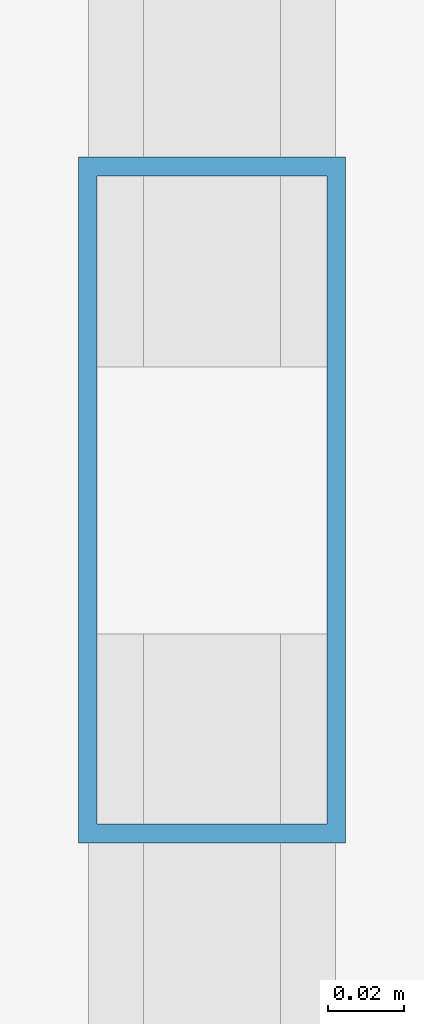
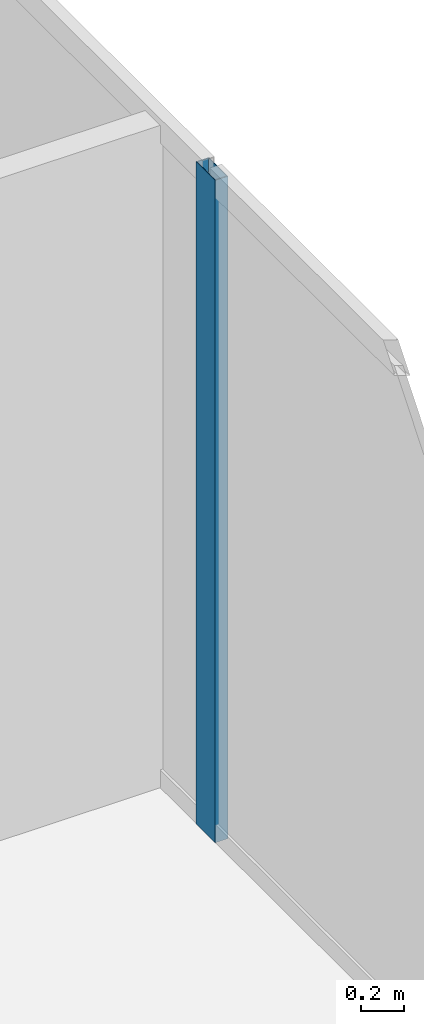
# One storey, part 24 of 33: 1 member, 1 element without a shape of its own.
"""IFC4 building model written with IfcOpenShell, lengths in metres."""

from ifc_helpers import new_model, si_unit, direction, frame, origin, origin_2d, place, context, subcontext, project, spatial, hollow_rectangle, extrude, source, transform, mapped, material, layer, layer_set, material_profile, profile_set, type_object, type_shapes, element, aggregate, save


model = new_model("IFC4")

# Units and contexts
model_context = context("Model", 3, precision=1e-05, world=origin(), true_north=direction((0.0, 1.0)))
body_context = subcontext(model_context, "Body", "Model", "MODEL_VIEW")
ifc_project = project(units=[si_unit("LENGTHUNIT", "METRE"), si_unit("AREAUNIT", "SQUARE_METRE"), si_unit("VOLUMEUNIT", "CUBIC_METRE"), si_unit("PLANEANGLEUNIT", "RADIAN"), si_unit("MASSUNIT", "GRAM", prefix="KILO")], contexts=[model_context])

# Site, building, storey
site_placement = place(None, origin())
site = spatial("IfcSite", under=ifc_project, at=site_placement, CompositionType="ELEMENT")
building_placement = place(site_placement, origin())
building = spatial("IfcBuilding", under=site, at=building_placement, Name="Haelvirn Gate Laboratories", CompositionType="ELEMENT")
storey_placement = place(building_placement, frame((0.0, 0.0, 250.60009765625)))
storey = spatial("IfcBuildingStorey", under=building, at=storey_placement, Name="L60", CompositionType="ELEMENT", Elevation=250.60009765625)

# Curtain wall, member
ifc_material_1 = material(Name="Anodised bronze unitised aluminium & triple low-E glass", Category="aluminium")
ifc_layer = layer(ifc_material_1, 0.176025390625, Name="CW-SYS-4")
ifc_layer_set = layer_set([ifc_layer], Name="Anodised bronze unitised aluminium & triple low-E glass")
curtain_wall_type = type_object("IfcCurtainWallType", Name="CW-SYS-4", PredefinedType="NOTDEFINED", material=ifc_layer_set)
curtain_wall_placement = place(storey_placement, origin())
curtain_wall = element("IfcCurtainWall", 1, at=curtain_wall_placement, inside=storey, type_object=curtain_wall_type, Name="L60 Unitised Curtain Wall CW-L60-P0-E07", PredefinedType="NOTDEFINED")
ifc_material_2 = material(Name="Extruded aluminium 6063-T6 (anodised bronze)", Category="aluminium")
ifc_material_profile = material_profile(ifc_material_2, hollow_rectangle(XDim=0.070068359375, YDim=0.179931640625, WallThickness=0.0048828125, at=origin_2d()), Name="CWM-180x70x5")
ifc_profile_set = profile_set([ifc_material_profile], Name="Extruded aluminium 6063-T6 (anodised bronze)")
member_type = type_object("IfcMemberType", Name="CWM-T180", PredefinedType="MULLION", material=ifc_profile_set)
shared_shape = source(origin(), body_context, "Body", "SweptSolid", [
    extrude(hollow_rectangle(XDim=0.070068359375, YDim=0.179931640625, WallThickness=0.0048828125, at=origin_2d()), origin(), (0.0, 0.0, 1.0), 3.7998046875),
])
type_shapes(member_type, [shared_shape])
member_placement = place(storey_placement, frame((70.699951171875, 24.300048828125, 0.0), z_axis=(0.0, 0.0, 1.0), x_axis=(-1.0, 0.0, 0.0)))
member = element("IfcMember", 2, at=member_placement, type_object=member_type, Name="CW4 mullion 2", PredefinedType="MULLION", context=body_context, shape_type="MappedRepresentation", body=[
    mapped(shared_shape, transform((0.0, 0.0, 0.0), scale=1.0)),
])
aggregate(curtain_wall, [member])

save(model, "model.ifc")
